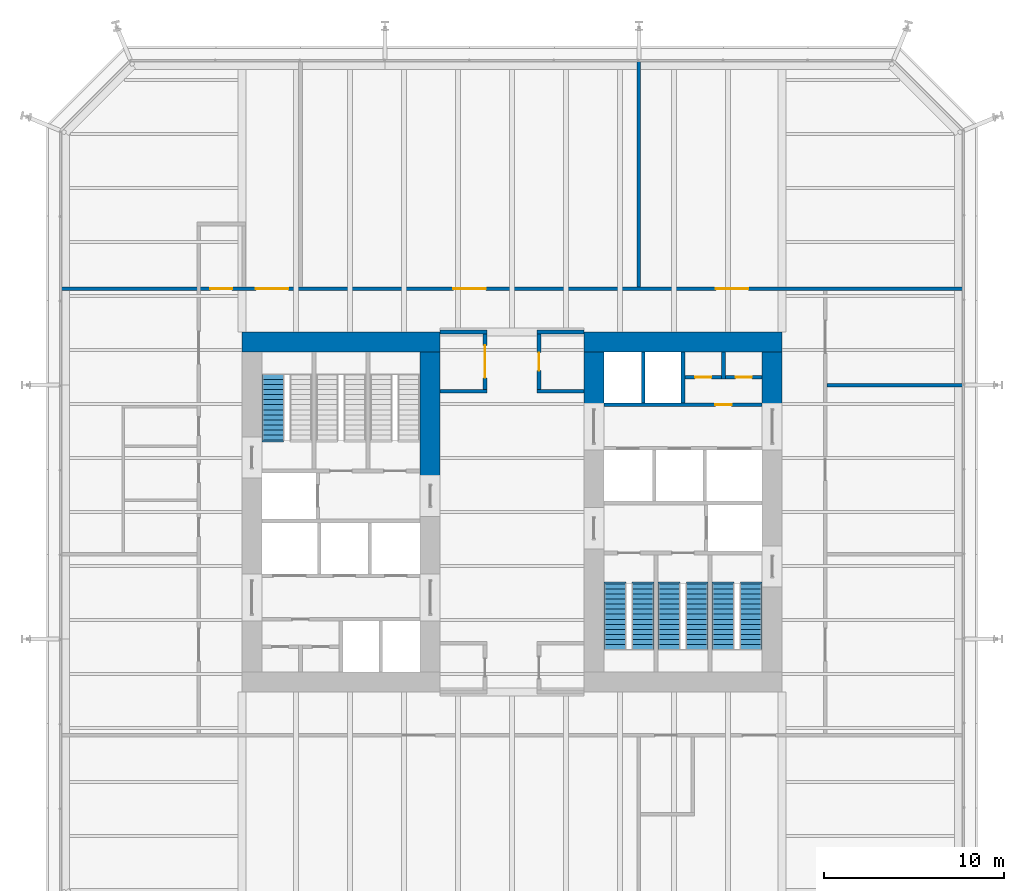
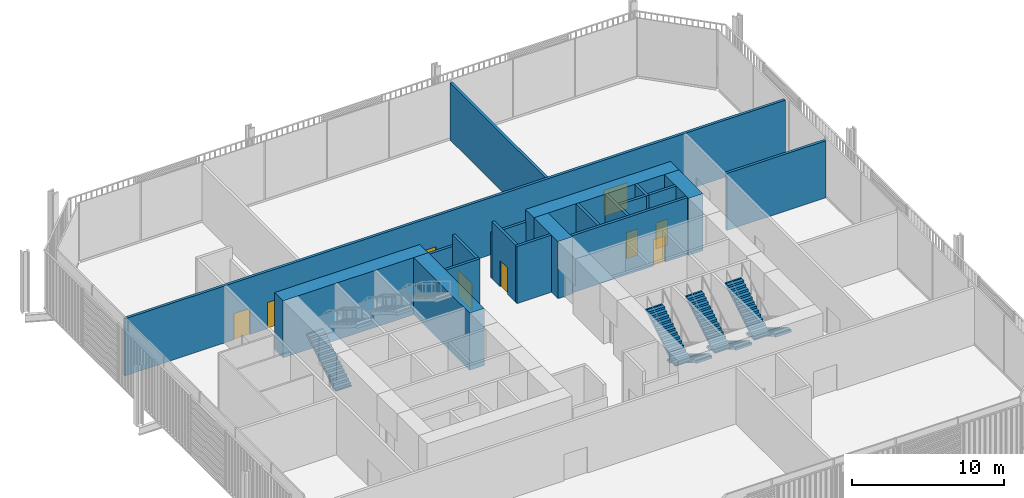
# One storey, part 20 of 22: 19 walls, 9 doors, 7 stair flights, 9 openings, 4 elements without a shape of their own.
"""IFC4 building model written with IfcOpenShell, lengths in metres."""

from ifc_helpers import new_model, si_unit, direction, frame, frame_2d, origin, place, context, subcontext, project, spatial, polyline, rectangle, outline, extrude, material, layer, layer_set, type_object, element, fill, aggregate, save


model = new_model("IFC4")

# Units and contexts
model_context = context("Model", 3, precision=1e-05, world=origin(), true_north=direction((0.0, 1.0)))
body_context = subcontext(model_context, "Body", "Model", "MODEL_VIEW")
ifc_project = project(units=[si_unit("LENGTHUNIT", "METRE"), si_unit("AREAUNIT", "SQUARE_METRE"), si_unit("VOLUMEUNIT", "CUBIC_METRE"), si_unit("PLANEANGLEUNIT", "RADIAN"), si_unit("MASSUNIT", "GRAM", prefix="KILO")], contexts=[model_context])

# Site, building, storey
site_placement = place(None, origin())
site = spatial("IfcSite", under=ifc_project, at=site_placement, CompositionType="ELEMENT")
building_placement = place(site_placement, origin())
building = spatial("IfcBuilding", under=site, at=building_placement, Name="Millrace Tower", CompositionType="ELEMENT")
storey_placement = place(building_placement, frame((0.0, 0.0, 49.699951171875)))
storey = spatial("IfcBuildingStorey", under=building, at=storey_placement, Name="L11", CompositionType="ELEMENT", Elevation=49.699951171875)

# Walls
ifc_material_1 = material(Name="Concrete C80", Category="concrete")
ifc_layer_1 = layer(ifc_material_1, 1.10009765625)
ifc_layer_set_1 = layer_set([ifc_layer_1], Name="Concrete C80")
wall_type_1 = type_object("IfcWallType", Name="Core wall 1100 Concrete C80", PredefinedType="SHEAR", material=ifc_layer_set_1)
wall_1_placement = place(storey_placement, frame((-15.0, 9.449951171875, 0.0), z_axis=(0.0, 0.0, 1.0), x_axis=(1.0, 0.0, 0.0)))
element("IfcWall", 1, at=wall_1_placement, inside=storey, type_object=wall_type_1, Name="Core wall W L11", PredefinedType="SHEAR", context=body_context, shape_type="SweptSolid", body=[
    extrude(rectangle(XDim=11.0, YDim=1.10009765625, at=frame_2d((5.5, 0.0))), origin(), (0.0, 0.0, 1.0), 4.574951171875),
])
wall_2_placement = place(storey_placement, frame((-4.550048828125, 1.550048828125, 0.0), z_axis=(0.0, 0.0, 1.0), x_axis=(0.0, 1.0, 0.0)))
element("IfcWall", 2, at=wall_2_placement, inside=storey, type_object=wall_type_1, Name="Core wall W L11", PredefinedType="SHEAR", context=body_context, shape_type="SweptSolid", body=[
    extrude(rectangle(XDim=7.349853515625, YDim=1.10009765625, at=frame_2d((3.6748046875, 0.0))), origin(), (0.0, 0.0, 1.0), 4.574951171875),
])
wall_3_placement = place(storey_placement, frame((15.0, 9.449951171875, 0.0), z_axis=(0.0, 0.0, 1.0), x_axis=(-1.0, 0.0, 0.0)))
element("IfcWall", 3, at=wall_3_placement, inside=storey, type_object=wall_type_1, Name="Core wall E L11", PredefinedType="SHEAR", context=body_context, shape_type="SweptSolid", body=[
    extrude(rectangle(XDim=11.0, YDim=1.10009765625, at=frame_2d((5.5, 0.0))), origin(), (0.0, 0.0, 1.0), 4.574951171875),
])
for number, where, z_axis, x_axis, name in (
    (4, (14.449951171875, 8.89990234375, 0.0), (0.0, 0.0, 1.0), (0.0, -1.0, 0.0), "Core wall E L11"),
    (5, (4.550048828125, 8.89990234375, 0.0), (0.0, 0.0, 1.0), (0.0, -1.0, 0.0), "Core wall E L11"),
):
    element("IfcWall", number, at=place(storey_placement, frame(where, z_axis=z_axis, x_axis=x_axis)), inside=storey, type_object=wall_type_1, Name=name, PredefinedType="SHEAR", context=body_context, shape_type="SweptSolid", body=[
        extrude(rectangle(XDim=3.14990234375, YDim=1.10009765625, at=frame_2d((1.574951171875, 0.0))), origin(), (0.0, 0.0, 1.0), 4.574951171875),
    ])
ifc_material_2 = material(Name="Masonry partition, fire-rated", Category="masonry")
ifc_layer_2 = layer(ifc_material_2, 0.199951171875)
ifc_layer_set_2 = layer_set([ifc_layer_2], Name="Masonry partition, fire-rated")
wall_type_2 = type_object("IfcWallType", Name="Corridor wall 200", PredefinedType="PARTITIONING", material=ifc_layer_set_2)
for number, where, z_axis, x_axis, name in (
    (6, (-4.0, 6.699951171875, 0.0), (0.0, 0.0, 1.0), (1.0, 0.0, 0.0), "Corridor wall L11"),
    (7, (1.39990234375, 6.699951171875, 0.0), (0.0, 0.0, 1.0), (1.0, 0.0, 0.0), "Corridor wall L11"),
):
    element("IfcWall", number, at=place(storey_placement, frame(where, z_axis=z_axis, x_axis=x_axis)), inside=storey, type_object=wall_type_2, Name=name, PredefinedType="PARTITIONING", context=body_context, shape_type="SweptSolid", body=[
        extrude(rectangle(XDim=2.60009765625, YDim=0.199951171875, at=frame_2d((1.300048828125, 0.0))), origin(), (0.0, 0.0, 1.0), 4.574951171875),
    ])
wall_4_placement = place(storey_placement, frame((17.5, 7.050048828125, 0.0), z_axis=(0.0, 0.0, 1.0), x_axis=(1.0, 0.0, 0.0)))
element("IfcWall", 8, at=wall_4_placement, inside=storey, type_object=wall_type_2, Name="Corridor wall L11", PredefinedType="PARTITIONING", context=body_context, shape_type="SweptSolid", body=[
    extrude(rectangle(XDim=7.530029296875, YDim=0.199951171875, at=frame_2d((3.76513671875, 0.0))), origin(), (0.0, 0.0, 1.0), 4.574951171875),
])
for number, where, z_axis, x_axis, name in (
    (9, (-4.0, 10.0, 0.0), (0.0, 0.0, 1.0), (1.0, 0.0, 0.0), "Corridor wall L11"),
    (10, (1.39990234375, 10.0, 0.0), (0.0, 0.0, 1.0), (1.0, 0.0, 0.0), "Corridor wall L11"),
):
    element("IfcWall", number, at=place(storey_placement, frame(where, z_axis=z_axis, x_axis=x_axis)), inside=storey, type_object=wall_type_2, Name=name, PredefinedType="PARTITIONING", context=body_context, shape_type="SweptSolid", body=[
        extrude(rectangle(XDim=2.60009765625, YDim=0.199951171875, at=frame_2d((1.300048828125, 0.0))), origin(), (0.0, 0.0, 1.0), 3.627685546875),
    ])

# Wall, openings, doors
wall_5_placement = place(storey_placement, frame((-25.030029296875, 12.39990234375, 0.0), z_axis=(0.0, 0.0, 1.0), x_axis=(1.0, 0.0, 0.0)))
wall_5 = element("IfcWall", 11, at=wall_5_placement, inside=storey, type_object=wall_type_2, Name="Corridor wall L11", PredefinedType="PARTITIONING", context=body_context, shape_type="SweptSolid", body=[
    extrude(rectangle(XDim=50.06005859375, YDim=0.199951171875, at=frame_2d((25.030029296875, 0.0))), origin(), (0.0, 0.0, 1.0), 4.574951171875),
])
opening_1_placement = place(wall_5_placement, frame((10.804931640625, 0.0, 0.0)))
opening_1 = element("IfcOpeningElement", 12, at=opening_1_placement, cuts=wall_5, Name="Opening 11-P008", PredefinedType="OPENING", context=body_context, shape_type="SweptSolid", body=[
    extrude(rectangle(XDim=1.800048828125, YDim=2.10009765625, at=frame_2d((0.89990234375, 1.050048828125))), frame((0.0, 0.10986328125, 0.0), z_axis=(0.0, -1.0, 0.0), x_axis=(1.0, 0.0, 0.0)), (0.0, 0.0, 1.0), 0.219970703125),
])
opening_2_placement = place(wall_5_placement, frame((8.280029296875, 0.0, 0.0)))
opening_2 = element("IfcOpeningElement", 13, at=opening_2_placement, cuts=wall_5, Name="Opening 11-P009", PredefinedType="OPENING", context=body_context, shape_type="SweptSolid", body=[
    extrude(rectangle(XDim=1.199951171875, YDim=2.10009765625, at=frame_2d((0.60009765625, 1.050048828125))), frame((0.0, 0.10986328125, 0.0), z_axis=(0.0, -1.0, 0.0), x_axis=(1.0, 0.0, 0.0)), (0.0, 0.0, 1.0), 0.219970703125),
])
opening_3_placement = place(wall_5_placement, frame((21.780029296875, 0.0, 0.0)))
opening_3 = element("IfcOpeningElement", 14, at=opening_3_placement, cuts=wall_5, Name="Opening 11-P010", PredefinedType="OPENING", context=body_context, shape_type="SweptSolid", body=[
    extrude(rectangle(XDim=1.800048828125, YDim=2.10009765625, at=frame_2d((0.89990234375, 1.050048828125))), frame((0.0, 0.10986328125, 0.0), z_axis=(0.0, -1.0, 0.0), x_axis=(1.0, 0.0, 0.0)), (0.0, 0.0, 1.0), 0.219970703125),
])
opening_4_placement = place(wall_5_placement, frame((36.360107421875, 0.0, 0.0)))
opening_4 = element("IfcOpeningElement", 15, at=opening_4_placement, cuts=wall_5, Name="Opening 11-P011", PredefinedType="OPENING", context=body_context, shape_type="SweptSolid", body=[
    extrude(rectangle(XDim=1.800048828125, YDim=2.10009765625, at=frame_2d((0.89990234375, 1.050048828125))), frame((0.0, 0.10986328125, 0.0), z_axis=(0.0, -1.0, 0.0), x_axis=(1.0, 0.0, 0.0)), (0.0, 0.0, 1.0), 0.219970703125),
])
ifc_material_3 = material(Name="Steel door set, fire-rated", Category="steel")
door_type_1 = type_object("IfcDoorType", Name="Corridor door 1200 x 2100", OperationType="SINGLE_SWING_LEFT", PredefinedType="DOOR", material=ifc_material_3)
door_1_placement = place(opening_2_placement, origin())
door_1 = element("IfcDoor", 16, at=door_1_placement, inside=storey, type_object=door_type_1, Name="Door 11-P009", OperationType="SINGLE_SWING_LEFT", OverallHeight=2.10009765625, OverallWidth=1.199951171875, PredefinedType="DOOR", context=body_context, shape_type="SweptSolid", body=[
    extrude(rectangle(XDim=1.199951171875, YDim=2.10009765625, at=frame_2d((0.60009765625, 1.050048828125))), frame((0.0, 0.02490234375, 0.0), z_axis=(0.0, -1.0, 0.0), x_axis=(1.0, 0.0, 0.0)), (0.0, 0.0, 1.0), 0.050048828125),
])
fill(opening_2, door_1)
ifc_material_4 = material(Name="Steel door set, fire-rated", Category="steel")
door_type_2 = type_object("IfcDoorType", Name="Data hall door 1800 x 2100", OperationType="DOUBLE_DOOR_SINGLE_SWING", PredefinedType="DOOR", material=ifc_material_4)
door_2_placement = place(opening_1_placement, origin())
door_2 = element("IfcDoor", 17, at=door_2_placement, inside=storey, type_object=door_type_2, Name="Door 11-P008", OperationType="DOUBLE_DOOR_SINGLE_SWING", OverallHeight=2.10009765625, OverallWidth=1.800048828125, PredefinedType="DOOR", context=body_context, shape_type="SweptSolid", body=[
    extrude(rectangle(XDim=1.800048828125, YDim=2.10009765625, at=frame_2d((0.89990234375, 1.050048828125))), frame((0.0, 0.02490234375, 0.0), z_axis=(0.0, -1.0, 0.0), x_axis=(1.0, 0.0, 0.0)), (0.0, 0.0, 1.0), 0.050048828125),
])
fill(opening_1, door_2)
door_3_placement = place(opening_3_placement, origin())
door_3 = element("IfcDoor", 18, at=door_3_placement, inside=storey, type_object=door_type_2, Name="Door 11-P010", OperationType="DOUBLE_DOOR_SINGLE_SWING", OverallHeight=2.10009765625, OverallWidth=1.800048828125, PredefinedType="DOOR", context=body_context, shape_type="SweptSolid", body=[
    extrude(rectangle(XDim=1.800048828125, YDim=2.10009765625, at=frame_2d((0.89990234375, 1.050048828125))), frame((0.0, 0.02490234375, 0.0), z_axis=(0.0, -1.0, 0.0), x_axis=(1.0, 0.0, 0.0)), (0.0, 0.0, 1.0), 0.050048828125),
])
fill(opening_3, door_3)
door_4_placement = place(opening_4_placement, origin())
door_4 = element("IfcDoor", 19, at=door_4_placement, inside=storey, type_object=door_type_2, Name="Door 11-P011", OperationType="DOUBLE_DOOR_SINGLE_SWING", OverallHeight=2.10009765625, OverallWidth=1.800048828125, PredefinedType="DOOR", context=body_context, shape_type="SweptSolid", body=[
    extrude(rectangle(XDim=1.800048828125, YDim=2.10009765625, at=frame_2d((0.89990234375, 1.050048828125))), frame((0.0, 0.02490234375, 0.0), z_axis=(0.0, -1.0, 0.0), x_axis=(1.0, 0.0, 0.0)), (0.0, 0.0, 1.0), 0.050048828125),
])
fill(opening_4, door_4)

# Wall
wall_6_placement = place(storey_placement, frame((7.050048828125, 12.5, 0.0), z_axis=(0.0, 0.0, 1.0), x_axis=(0.0, 1.0, 0.0)))
element("IfcWall", 20, at=wall_6_placement, inside=storey, type_object=wall_type_2, Name="Corridor wall L11", PredefinedType="PARTITIONING", context=body_context, shape_type="SweptSolid", body=[
    extrude(rectangle(XDim=12.530029296875, YDim=0.199951171875, at=frame_2d((6.26513671875, 0.0))), origin(), (0.0, 0.0, 1.0), 4.574951171875),
])

# Wall, opening, door
wall_7_placement = place(storey_placement, frame((1.5, 6.800048828125, 0.0), z_axis=(0.0, 0.0, 1.0), x_axis=(0.0, 1.0, 0.0)))
wall_7 = element("IfcWall", 21, at=wall_7_placement, inside=storey, type_object=wall_type_2, Name="Corridor wall L11", PredefinedType="PARTITIONING", context=body_context, shape_type="SweptSolid", body=[
    extrude(rectangle(XDim=3.099853515625, YDim=0.199951171875, at=frame_2d((1.5498046875, 0.0))), origin(), (0.0, 0.0, 1.0), 4.574951171875),
])
opening_5_placement = place(wall_7_placement, frame((1.050048828125, 0.0, 0.0)))
opening_5 = element("IfcOpeningElement", 22, at=opening_5_placement, cuts=wall_7, Name="Opening 11-P002", PredefinedType="OPENING", context=body_context, shape_type="SweptSolid", body=[
    extrude(rectangle(XDim=1.0, YDim=2.10009765625, at=frame_2d((0.5, 1.050048828125))), frame((0.0, 0.10986328125, 0.0), z_axis=(0.0, -1.0, 0.0), x_axis=(1.0, 0.0, 0.0)), (0.0, 0.0, 1.0), 0.219970703125),
])
ifc_material_5 = material(Name="Steel door set, fire-rated", Category="steel")
door_type_3 = type_object("IfcDoorType", Name="Corridor door 1000 x 2100", OperationType="SINGLE_SWING_LEFT", PredefinedType="DOOR", material=ifc_material_5)
door_5_placement = place(opening_5_placement, frame((1.0, 0.0, 0.0), z_axis=(0.0, 0.0, 1.0), x_axis=(-1.0, 0.0, 0.0)))
door_5 = element("IfcDoor", 23, at=door_5_placement, inside=storey, type_object=door_type_3, Name="Door 11-P002", OperationType="SINGLE_SWING_RIGHT", OverallHeight=2.10009765625, OverallWidth=1.0, PredefinedType="DOOR", context=body_context, shape_type="SweptSolid", body=[
    extrude(rectangle(XDim=1.0, YDim=2.10009765625, at=frame_2d((0.5, 1.050048828125))), frame((0.0, 0.02490234375, 0.0), z_axis=(0.0, -1.0, 0.0), x_axis=(1.0, 0.0, 0.0)), (0.0, 0.0, 1.0), 0.050048828125),
])
fill(opening_5, door_5)

wall_8_placement = place(storey_placement, frame((-1.5, 6.800048828125, 0.0), z_axis=(0.0, 0.0, 1.0), x_axis=(0.0, 1.0, 0.0)))
wall_8 = element("IfcWall", 24, at=wall_8_placement, inside=storey, type_object=wall_type_2, Name="Corridor wall L11", PredefinedType="PARTITIONING", context=body_context, shape_type="SweptSolid", body=[
    extrude(rectangle(XDim=3.099853515625, YDim=0.199951171875, at=frame_2d((1.5498046875, 0.0))), origin(), (0.0, 0.0, 1.0), 4.574951171875),
])
opening_6_placement = place(wall_8_placement, frame((0.64990234375, 0.0, 0.0)))
opening_6 = element("IfcOpeningElement", 25, at=opening_6_placement, cuts=wall_8, Name="Opening 11-P001", PredefinedType="OPENING", context=body_context, shape_type="SweptSolid", body=[
    extrude(rectangle(XDim=1.800048828125, YDim=2.10009765625, at=frame_2d((0.89990234375, 1.050048828125))), frame((0.0, 0.10986328125, 0.0), z_axis=(0.0, -1.0, 0.0), x_axis=(1.0, 0.0, 0.0)), (0.0, 0.0, 1.0), 0.219970703125),
])
door_6_placement = place(opening_6_placement, origin())
door_6 = element("IfcDoor", 26, at=door_6_placement, inside=storey, type_object=door_type_2, Name="Door 11-P001", OperationType="DOUBLE_DOOR_SINGLE_SWING", OverallHeight=2.10009765625, OverallWidth=1.800048828125, PredefinedType="DOOR", context=body_context, shape_type="SweptSolid", body=[
    extrude(rectangle(XDim=1.800048828125, YDim=2.10009765625, at=frame_2d((0.89990234375, 1.050048828125))), frame((0.0, 0.02490234375, 0.0), z_axis=(0.0, -1.0, 0.0), x_axis=(1.0, 0.0, 0.0)), (0.0, 0.0, 1.0), 0.050048828125),
])
fill(opening_6, door_6)

ifc_material_6 = material(Name="Masonry partition, fire-rated", Category="masonry")
ifc_layer_3 = layer(ifc_material_6, 0.199951171875)
ifc_layer_set_3 = layer_set([ifc_layer_3], Name="Masonry partition, fire-rated")
wall_type_3 = type_object("IfcWallType", Name="Lift shaft wall 200", PredefinedType="PARTITIONING", material=ifc_layer_set_3)
wall_9_placement = place(storey_placement, frame((13.89990234375, 5.949951171875, 0.0), z_axis=(0.0, 0.0, 1.0), x_axis=(-1.0, 0.0, 0.0)))
wall_9 = element("IfcWall", 27, at=wall_9_placement, inside=storey, type_object=wall_type_3, Name="Lift shaft wall E L11", PredefinedType="PARTITIONING", context=body_context, shape_type="SweptSolid", body=[
    extrude(rectangle(XDim=8.7998046875, YDim=0.199951171875, at=frame_2d((4.39990234375, 0.0))), origin(), (0.0, 0.0, 1.0), 4.574951171875),
])
opening_7_placement = place(wall_9_placement, frame((1.699951171875, 0.0, 0.0)))
opening_7 = element("IfcOpeningElement", 28, at=opening_7_placement, cuts=wall_9, Name="Opening 11-C014", PredefinedType="OPENING", context=body_context, shape_type="SweptSolid", body=[
    extrude(rectangle(XDim=0.89990234375, YDim=2.10009765625, at=frame_2d((0.449951171875, 1.050048828125))), frame((0.0, 0.10986328125, 0.0), z_axis=(0.0, -1.0, 0.0), x_axis=(1.0, 0.0, 0.0)), (0.0, 0.0, 1.0), 0.219970703125),
])
ifc_material_7 = material(Name="Steel door, fire-rated", Category="steel")
door_type_4 = type_object("IfcDoorType", Name="Service room door 900 x 2100", OperationType="SINGLE_SWING_LEFT", PredefinedType="DOOR", material=ifc_material_7)
door_7_placement = place(opening_7_placement, origin())
door_7 = element("IfcDoor", 29, at=door_7_placement, inside=storey, type_object=door_type_4, Name="Service room door 11-C014", OperationType="SINGLE_SWING_LEFT", OverallHeight=2.10009765625, OverallWidth=0.89990234375, PredefinedType="DOOR", context=body_context, shape_type="SweptSolid", body=[
    extrude(rectangle(XDim=0.89990234375, YDim=2.10009765625, at=frame_2d((0.449951171875, 1.050048828125))), frame((0.0, 0.02490234375, 0.0), z_axis=(0.0, -1.0, 0.0), x_axis=(1.0, 0.0, 0.0)), (0.0, 0.0, 1.0), 0.050048828125),
])
fill(opening_7, door_7)

# Walls
for number, where, z_axis, x_axis, name in (
    (30, (9.5, 8.89990234375, 0.0), (0.0, 0.0, 1.0), (0.0, -1.0, 0.0), "Lift shaft wall E L11"),
    (31, (7.300048828125, 8.89990234375, 0.0), (0.0, 0.0, 1.0), (0.0, -1.0, 0.0), "Lift shaft wall E L11"),
):
    element("IfcWall", number, at=place(storey_placement, frame(where, z_axis=z_axis, x_axis=x_axis)), inside=storey, type_object=wall_type_3, Name=name, PredefinedType="PARTITIONING", context=body_context, shape_type="SweptSolid", body=[
        extrude(rectangle(XDim=2.849853515625, YDim=0.199951171875, at=frame_2d((1.4248046875, 0.0))), origin(), (0.0, 0.0, 1.0), 4.574951171875),
    ])

# Wall, openings, doors
ifc_material_8 = material(Name="Masonry partition, fire-rated", Category="masonry")
ifc_layer_4 = layer(ifc_material_8, 0.199951171875)
ifc_layer_set_4 = layer_set([ifc_layer_4], Name="Masonry partition, fire-rated")
wall_type_4 = type_object("IfcWallType", Name="Room partition 200", PredefinedType="PARTITIONING", material=ifc_layer_set_4)
wall_10_placement = place(storey_placement, frame((13.89990234375, 7.47509765625, 0.0), z_axis=(0.0, 0.0, 1.0), x_axis=(-1.0, 0.0, 0.0)))
wall_10 = element("IfcWall", 32, at=wall_10_placement, inside=storey, type_object=wall_type_4, Name="Room partition E L11", PredefinedType="PARTITIONING", context=body_context, shape_type="SweptSolid", body=[
    extrude(rectangle(XDim=4.2998046875, YDim=0.199951171875, at=frame_2d((2.14990234375, 0.0))), origin(), (0.0, 0.0, 1.0), 4.574951171875),
])
opening_8_placement = place(wall_10_placement, frame((0.574951171875, 0.0, 0.0)))
opening_8 = element("IfcOpeningElement", 33, at=opening_8_placement, cuts=wall_10, Name="Opening 11-C015", PredefinedType="OPENING", context=body_context, shape_type="SweptSolid", body=[
    extrude(rectangle(XDim=0.89990234375, YDim=2.10009765625, at=frame_2d((0.449951171875, 1.050048828125))), frame((0.0, 0.10986328125, 0.0), z_axis=(0.0, -1.0, 0.0), x_axis=(1.0, 0.0, 0.0)), (0.0, 0.0, 1.0), 0.219970703125),
])
opening_9_placement = place(wall_10_placement, frame((2.824951171875, 0.0, 0.0)))
opening_9 = element("IfcOpeningElement", 34, at=opening_9_placement, cuts=wall_10, Name="Opening 11-C016", PredefinedType="OPENING", context=body_context, shape_type="SweptSolid", body=[
    extrude(rectangle(XDim=0.89990234375, YDim=2.10009765625, at=frame_2d((0.449951171875, 1.050048828125))), frame((0.0, 0.10986328125, 0.0), z_axis=(0.0, -1.0, 0.0), x_axis=(1.0, 0.0, 0.0)), (0.0, 0.0, 1.0), 0.219970703125),
])
door_8_placement = place(opening_8_placement, frame((0.89990234375, 0.0, 0.0), z_axis=(0.0, 0.0, 1.0), x_axis=(-1.0, 0.0, 0.0)))
door_8 = element("IfcDoor", 35, at=door_8_placement, inside=storey, type_object=door_type_4, Name="Service room door 11-C015", OperationType="SINGLE_SWING_RIGHT", OverallHeight=2.10009765625, OverallWidth=0.89990234375, PredefinedType="DOOR", context=body_context, shape_type="SweptSolid", body=[
    extrude(rectangle(XDim=0.89990234375, YDim=2.10009765625, at=frame_2d((0.449951171875, 1.050048828125))), frame((0.0, 0.02490234375, 0.0), z_axis=(0.0, -1.0, 0.0), x_axis=(1.0, 0.0, 0.0)), (0.0, 0.0, 1.0), 0.050048828125),
])
fill(opening_8, door_8)
door_9_placement = place(opening_9_placement, frame((0.89990234375, 0.0, 0.0), z_axis=(0.0, 0.0, 1.0), x_axis=(-1.0, 0.0, 0.0)))
door_9 = element("IfcDoor", 36, at=door_9_placement, inside=storey, type_object=door_type_4, Name="Service room door 11-C016", OperationType="SINGLE_SWING_LEFT", OverallHeight=2.10009765625, OverallWidth=0.89990234375, PredefinedType="DOOR", context=body_context, shape_type="SweptSolid", body=[
    extrude(rectangle(XDim=0.89990234375, YDim=2.10009765625, at=frame_2d((0.449951171875, 1.050048828125))), frame((0.0, 0.02490234375, 0.0), z_axis=(0.0, -1.0, 0.0), x_axis=(1.0, 0.0, 0.0)), (0.0, 0.0, 1.0), 0.050048828125),
])
fill(opening_9, door_9)

# Wall
wall_11_placement = place(storey_placement, frame((11.75, 8.89990234375, 0.0), z_axis=(0.0, 0.0, 1.0), x_axis=(0.0, -1.0, 0.0)))
element("IfcWall", 37, at=wall_11_placement, inside=storey, type_object=wall_type_4, Name="Room partition E L11", PredefinedType="PARTITIONING", context=body_context, shape_type="SweptSolid", body=[
    extrude(rectangle(XDim=1.52490234375, YDim=0.199951171875, at=frame_2d((0.762451171875, 0.0))), origin(), (0.0, 0.0, 1.0), 4.574951171875),
])

# Stair, stair flight
ifc_material_9 = material(Name="Concrete C35", Category="concrete")
stair_type = type_object("IfcStairType", Name="Exit stair", PredefinedType="HALF_TURN_STAIR", material=ifc_material_9)
placement = place(storey_placement, origin())
stair_1 = element("IfcStair", 38, at=placement, inside=storey, type_object=stair_type, Name="Stair 1 W L11", PredefinedType="HALF_TURN_STAIR")
ifc_material_10 = material(Name="Concrete C35", Category="concrete")
stair_flight_type = type_object("IfcStairFlightType", Name="Exit stair flight", PredefinedType="STRAIGHT", material=ifc_material_10)
stair_flight_1_placement = place(storey_placement, frame((-13.2900390625, 4.0, 0.0), z_axis=(0.0, 0.0, 1.0), x_axis=(0.0, 1.0, 0.0)))
stair_flight_1 = element("IfcStairFlight", 39, at=stair_flight_1_placement, type_object=stair_flight_type, Name="ST12 flight 1", NumberOfRisers=14, NumberOfTreads=13, PredefinedType="STRAIGHT", RiserHeight=0.171428571, TreadLength=0.28, context=body_context, shape_type="SweptSolid", body=[
    extrude(outline(polyline([(-0.1201171875, -0.0400390625), (-0.1201171875, 0.0), (0.0, 0.0), (0.0, 0.17138671875), (0.280029296875, 0.17138671875), (0.280029296875, 0.3427734375), (0.56005859375, 0.3427734375), (0.56005859375, 0.514404296875), (0.840087890625, 0.514404296875), (0.840087890625, 0.685791015625), (1.1201171875, 0.685791015625), (1.1201171875, 0.857177734375), (1.39990234375, 0.857177734375), (1.39990234375, 1.028564453125), (1.679931640625, 1.028564453125), (1.679931640625, 1.199951171875), (1.9599609375, 1.199951171875), (1.9599609375, 1.371337890625), (2.239990234375, 1.371337890625), (2.239990234375, 1.54296875), (2.52001953125, 1.54296875), (2.52001953125, 1.71435546875), (2.800048828125, 1.71435546875), (2.800048828125, 1.8857421875), (3.080078125, 1.8857421875), (3.080078125, 2.05712890625), (3.360107421875, 2.05712890625), (3.360107421875, 2.228515625), (3.639892578125, 2.228515625), (3.639892578125, 2.24853515625), (3.760009765625, 2.24853515625), (3.760009765625, 2.052734375), (3.639892578125, 2.052734375), (0.287109375, 0.0), (0.287109375, -0.0400390625), (-0.1201171875, -0.0400390625)])), frame((0.0, 0.60986328125, 0.0), z_axis=(0.0, -1.0, 0.0), x_axis=(1.0, 0.0, 0.0)), (0.0, 0.0, 1.0), 1.219970703125),
])
aggregate(stair_1, [stair_flight_1])

# Stair, stair flights
stair_2 = element("IfcStair", 40, at=placement, inside=storey, type_object=stair_type, Name="Stair 1 E L11", PredefinedType="HALF_TURN_STAIR")
stair_flight_2_placement = place(storey_placement, frame((13.2900390625, -4.0, 0.0), z_axis=(0.0, 0.0, 1.0), x_axis=(0.0, -1.0, 0.0)))
stair_flight_2 = element("IfcStairFlight", 41, at=stair_flight_2_placement, type_object=stair_flight_type, Name="ST12 flight 1", NumberOfRisers=14, NumberOfTreads=13, PredefinedType="STRAIGHT", RiserHeight=0.171428571, TreadLength=0.28, context=body_context, shape_type="SweptSolid", body=[
    extrude(outline(polyline([(-0.1201171875, -0.0400390625), (-0.1201171875, 0.0), (0.0, 0.0), (0.0, 0.17138671875), (0.280029296875, 0.17138671875), (0.280029296875, 0.3427734375), (0.56005859375, 0.3427734375), (0.56005859375, 0.514404296875), (0.840087890625, 0.514404296875), (0.840087890625, 0.685791015625), (1.1201171875, 0.685791015625), (1.1201171875, 0.857177734375), (1.39990234375, 0.857177734375), (1.39990234375, 1.028564453125), (1.679931640625, 1.028564453125), (1.679931640625, 1.199951171875), (1.9599609375, 1.199951171875), (1.9599609375, 1.371337890625), (2.239990234375, 1.371337890625), (2.239990234375, 1.54296875), (2.52001953125, 1.54296875), (2.52001953125, 1.71435546875), (2.800048828125, 1.71435546875), (2.800048828125, 1.8857421875), (3.080078125, 1.8857421875), (3.080078125, 2.05712890625), (3.360107421875, 2.05712890625), (3.360107421875, 2.228515625), (3.639892578125, 2.228515625), (3.639892578125, 2.24853515625), (3.760009765625, 2.24853515625), (3.760009765625, 2.052734375), (3.639892578125, 2.052734375), (0.287109375, 0.0), (0.287109375, -0.0400390625), (-0.1201171875, -0.0400390625)])), frame((0.0, 0.60986328125, 0.0), z_axis=(0.0, -1.0, 0.0), x_axis=(1.0, 0.0, 0.0)), (0.0, 0.0, 1.0), 1.219970703125),
])
stair_flight_3_placement = place(storey_placement, frame((11.7099609375, -7.639892578125, 2.400146484375), z_axis=(0.0, 0.0, 1.0), x_axis=(0.0, 1.0, 0.0)))
stair_flight_3 = element("IfcStairFlight", 42, at=stair_flight_3_placement, type_object=stair_flight_type, Name="ST12 flight 2", NumberOfRisers=14, NumberOfTreads=13, PredefinedType="STRAIGHT", RiserHeight=0.171428571, TreadLength=0.28, context=body_context, shape_type="SweptSolid", body=[
    extrude(outline(polyline([(-0.1201171875, -0.0400390625), (-0.1201171875, 0.0), (0.0, 0.0), (0.0, 0.17138671875), (0.280029296875, 0.17138671875), (0.280029296875, 0.3427734375), (0.56005859375, 0.3427734375), (0.56005859375, 0.514404296875), (0.840087890625, 0.514404296875), (0.840087890625, 0.685791015625), (1.1201171875, 0.685791015625), (1.1201171875, 0.857177734375), (1.39990234375, 0.857177734375), (1.39990234375, 1.028564453125), (1.679931640625, 1.028564453125), (1.679931640625, 1.199951171875), (1.9599609375, 1.199951171875), (1.9599609375, 1.371337890625), (2.239990234375, 1.371337890625), (2.239990234375, 1.54296875), (2.52001953125, 1.54296875), (2.52001953125, 1.71435546875), (2.800048828125, 1.71435546875), (2.800048828125, 1.8857421875), (3.080078125, 1.8857421875), (3.080078125, 2.05712890625), (3.360107421875, 2.05712890625), (3.360107421875, 2.228515625), (3.639892578125, 2.228515625), (3.639892578125, 2.24853515625), (3.760009765625, 2.24853515625), (3.760009765625, 2.052734375), (3.639892578125, 2.052734375), (0.287109375, 0.0), (0.287109375, -0.0400390625), (-0.1201171875, -0.0400390625)])), frame((0.0, 0.60986328125, 0.0), z_axis=(0.0, -1.0, 0.0), x_axis=(1.0, 0.0, 0.0)), (0.0, 0.0, 1.0), 1.219970703125),
])
aggregate(stair_2, [stair_flight_2, stair_flight_3])

stair_3 = element("IfcStair", 43, at=placement, inside=storey, type_object=stair_type, Name="Stair 2 E L11", PredefinedType="HALF_TURN_STAIR")
stair_flight_4_placement = place(storey_placement, frame((10.2900390625, -4.0, 0.0), z_axis=(0.0, 0.0, 1.0), x_axis=(0.0, -1.0, 0.0)))
stair_flight_4 = element("IfcStairFlight", 44, at=stair_flight_4_placement, type_object=stair_flight_type, Name="ST12 flight 1", NumberOfRisers=14, NumberOfTreads=13, PredefinedType="STRAIGHT", RiserHeight=0.171428571, TreadLength=0.28, context=body_context, shape_type="SweptSolid", body=[
    extrude(outline(polyline([(-0.1201171875, -0.0400390625), (-0.1201171875, 0.0), (0.0, 0.0), (0.0, 0.17138671875), (0.280029296875, 0.17138671875), (0.280029296875, 0.3427734375), (0.56005859375, 0.3427734375), (0.56005859375, 0.514404296875), (0.840087890625, 0.514404296875), (0.840087890625, 0.685791015625), (1.1201171875, 0.685791015625), (1.1201171875, 0.857177734375), (1.39990234375, 0.857177734375), (1.39990234375, 1.028564453125), (1.679931640625, 1.028564453125), (1.679931640625, 1.199951171875), (1.9599609375, 1.199951171875), (1.9599609375, 1.371337890625), (2.239990234375, 1.371337890625), (2.239990234375, 1.54296875), (2.52001953125, 1.54296875), (2.52001953125, 1.71435546875), (2.800048828125, 1.71435546875), (2.800048828125, 1.8857421875), (3.080078125, 1.8857421875), (3.080078125, 2.05712890625), (3.360107421875, 2.05712890625), (3.360107421875, 2.228515625), (3.639892578125, 2.228515625), (3.639892578125, 2.24853515625), (3.760009765625, 2.24853515625), (3.760009765625, 2.052734375), (3.639892578125, 2.052734375), (0.287109375, 0.0), (0.287109375, -0.0400390625), (-0.1201171875, -0.0400390625)])), frame((0.0, 0.60986328125, 0.0), z_axis=(0.0, -1.0, 0.0), x_axis=(1.0, 0.0, 0.0)), (0.0, 0.0, 1.0), 1.219970703125),
])
stair_flight_5_placement = place(storey_placement, frame((8.7099609375, -7.639892578125, 2.400146484375), z_axis=(0.0, 0.0, 1.0), x_axis=(0.0, 1.0, 0.0)))
stair_flight_5 = element("IfcStairFlight", 45, at=stair_flight_5_placement, type_object=stair_flight_type, Name="ST12 flight 2", NumberOfRisers=14, NumberOfTreads=13, PredefinedType="STRAIGHT", RiserHeight=0.171428571, TreadLength=0.28, context=body_context, shape_type="SweptSolid", body=[
    extrude(outline(polyline([(-0.1201171875, -0.0400390625), (-0.1201171875, 0.0), (0.0, 0.0), (0.0, 0.17138671875), (0.280029296875, 0.17138671875), (0.280029296875, 0.3427734375), (0.56005859375, 0.3427734375), (0.56005859375, 0.514404296875), (0.840087890625, 0.514404296875), (0.840087890625, 0.685791015625), (1.1201171875, 0.685791015625), (1.1201171875, 0.857177734375), (1.39990234375, 0.857177734375), (1.39990234375, 1.028564453125), (1.679931640625, 1.028564453125), (1.679931640625, 1.199951171875), (1.9599609375, 1.199951171875), (1.9599609375, 1.371337890625), (2.239990234375, 1.371337890625), (2.239990234375, 1.54296875), (2.52001953125, 1.54296875), (2.52001953125, 1.71435546875), (2.800048828125, 1.71435546875), (2.800048828125, 1.8857421875), (3.080078125, 1.8857421875), (3.080078125, 2.05712890625), (3.360107421875, 2.05712890625), (3.360107421875, 2.228515625), (3.639892578125, 2.228515625), (3.639892578125, 2.24853515625), (3.760009765625, 2.24853515625), (3.760009765625, 2.052734375), (3.639892578125, 2.052734375), (0.287109375, 0.0), (0.287109375, -0.0400390625), (-0.1201171875, -0.0400390625)])), frame((0.0, 0.60986328125, 0.0), z_axis=(0.0, -1.0, 0.0), x_axis=(1.0, 0.0, 0.0)), (0.0, 0.0, 1.0), 1.219970703125),
])
aggregate(stair_3, [stair_flight_4, stair_flight_5])

stair_4 = element("IfcStair", 46, at=placement, inside=storey, type_object=stair_type, Name="Stair 3 E L11", PredefinedType="HALF_TURN_STAIR")
stair_flight_6_placement = place(storey_placement, frame((7.2900390625, -4.0, 0.0), z_axis=(0.0, 0.0, 1.0), x_axis=(0.0, -1.0, 0.0)))
stair_flight_6 = element("IfcStairFlight", 47, at=stair_flight_6_placement, type_object=stair_flight_type, Name="ST12 flight 1", NumberOfRisers=14, NumberOfTreads=13, PredefinedType="STRAIGHT", RiserHeight=0.171428571, TreadLength=0.28, context=body_context, shape_type="SweptSolid", body=[
    extrude(outline(polyline([(-0.1201171875, -0.0400390625), (-0.1201171875, 0.0), (0.0, 0.0), (0.0, 0.17138671875), (0.280029296875, 0.17138671875), (0.280029296875, 0.3427734375), (0.56005859375, 0.3427734375), (0.56005859375, 0.514404296875), (0.840087890625, 0.514404296875), (0.840087890625, 0.685791015625), (1.1201171875, 0.685791015625), (1.1201171875, 0.857177734375), (1.39990234375, 0.857177734375), (1.39990234375, 1.028564453125), (1.679931640625, 1.028564453125), (1.679931640625, 1.199951171875), (1.9599609375, 1.199951171875), (1.9599609375, 1.371337890625), (2.239990234375, 1.371337890625), (2.239990234375, 1.54296875), (2.52001953125, 1.54296875), (2.52001953125, 1.71435546875), (2.800048828125, 1.71435546875), (2.800048828125, 1.8857421875), (3.080078125, 1.8857421875), (3.080078125, 2.05712890625), (3.360107421875, 2.05712890625), (3.360107421875, 2.228515625), (3.639892578125, 2.228515625), (3.639892578125, 2.24853515625), (3.760009765625, 2.24853515625), (3.760009765625, 2.052734375), (3.639892578125, 2.052734375), (0.287109375, 0.0), (0.287109375, -0.0400390625), (-0.1201171875, -0.0400390625)])), frame((0.0, 0.60986328125, 0.0), z_axis=(0.0, -1.0, 0.0), x_axis=(1.0, 0.0, 0.0)), (0.0, 0.0, 1.0), 1.219970703125),
])
stair_flight_7_placement = place(storey_placement, frame((5.7099609375, -7.639892578125, 2.400146484375), z_axis=(0.0, 0.0, 1.0), x_axis=(0.0, 1.0, 0.0)))
stair_flight_7 = element("IfcStairFlight", 48, at=stair_flight_7_placement, type_object=stair_flight_type, Name="ST12 flight 2", NumberOfRisers=14, NumberOfTreads=13, PredefinedType="STRAIGHT", RiserHeight=0.171428571, TreadLength=0.28, context=body_context, shape_type="SweptSolid", body=[
    extrude(outline(polyline([(-0.1201171875, -0.0400390625), (-0.1201171875, 0.0), (0.0, 0.0), (0.0, 0.17138671875), (0.280029296875, 0.17138671875), (0.280029296875, 0.3427734375), (0.56005859375, 0.3427734375), (0.56005859375, 0.514404296875), (0.840087890625, 0.514404296875), (0.840087890625, 0.685791015625), (1.1201171875, 0.685791015625), (1.1201171875, 0.857177734375), (1.39990234375, 0.857177734375), (1.39990234375, 1.028564453125), (1.679931640625, 1.028564453125), (1.679931640625, 1.199951171875), (1.9599609375, 1.199951171875), (1.9599609375, 1.371337890625), (2.239990234375, 1.371337890625), (2.239990234375, 1.54296875), (2.52001953125, 1.54296875), (2.52001953125, 1.71435546875), (2.800048828125, 1.71435546875), (2.800048828125, 1.8857421875), (3.080078125, 1.8857421875), (3.080078125, 2.05712890625), (3.360107421875, 2.05712890625), (3.360107421875, 2.228515625), (3.639892578125, 2.228515625), (3.639892578125, 2.24853515625), (3.760009765625, 2.24853515625), (3.760009765625, 2.052734375), (3.639892578125, 2.052734375), (0.287109375, 0.0), (0.287109375, -0.0400390625), (-0.1201171875, -0.0400390625)])), frame((0.0, 0.60986328125, 0.0), z_axis=(0.0, -1.0, 0.0), x_axis=(1.0, 0.0, 0.0)), (0.0, 0.0, 1.0), 1.219970703125),
])
aggregate(stair_4, [stair_flight_6, stair_flight_7])

save(model, "model.ifc")
